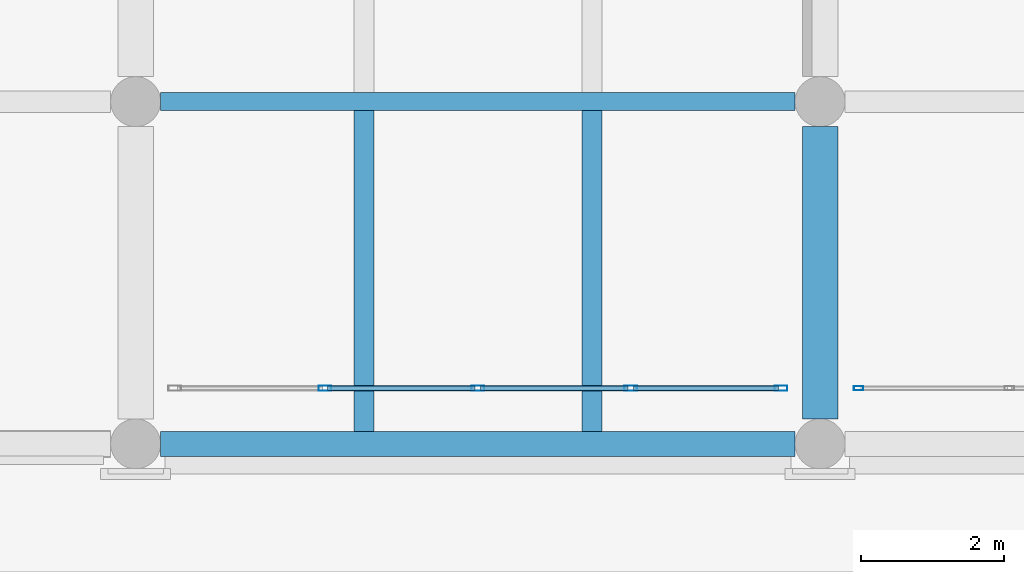
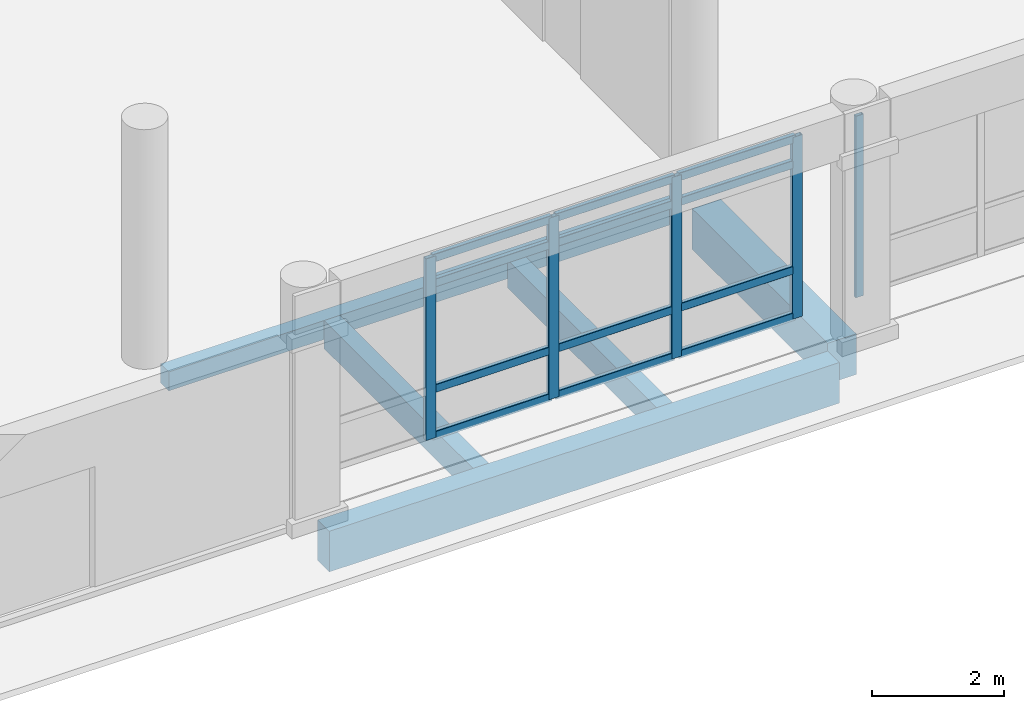
# One storey, part 33 of 196: 17 members, 5 beams, 2 elements without a shape of their own.
"""IFC4 building model written with IfcOpenShell, lengths in metres."""

from ifc_helpers import new_model, si_unit, direction, frame, origin, origin_2d, place, context, subcontext, project, spatial, rectangle, hollow_rectangle, extrude, material, layer, layer_set, material_profile, profile_set, type_object, element, aggregate, save


model = new_model("IFC4")

# Units and contexts
model_context = context("Model", 3, precision=1e-05, world=origin(), true_north=direction((0.0, 1.0)))
body_context = subcontext(model_context, "Body", "Model", "MODEL_VIEW")
ifc_project = project(units=[si_unit("LENGTHUNIT", "METRE"), si_unit("AREAUNIT", "SQUARE_METRE"), si_unit("VOLUMEUNIT", "CUBIC_METRE"), si_unit("PLANEANGLEUNIT", "RADIAN"), si_unit("MASSUNIT", "GRAM", prefix="KILO")], contexts=[model_context])

# Site, building, storey
site_placement = place(None, origin())
site = spatial("IfcSite", under=ifc_project, at=site_placement, CompositionType="ELEMENT")
building_placement = place(site_placement, origin())
building = spatial("IfcBuilding", under=site, at=building_placement, Name="Asteropetra Specialist Clinic", CompositionType="ELEMENT")
storey_placement = place(building_placement, origin())
storey = spatial("IfcBuildingStorey", under=building, at=storey_placement, Name="L00", CompositionType="ELEMENT", Elevation=0.0)

# Beam
ifc_material_1 = material(Name="Concrete C35/45", Category="concrete")
ifc_material_profile_1 = material_profile(ifc_material_1, rectangle(XDim=0.5, YDim=0.75, at=origin_2d()), Name="RCB 500x750")
ifc_profile_set_1 = profile_set([ifc_material_profile_1], Name="Concrete C35/45")
beam_type_1 = type_object("IfcBeamType", Name="BM-RC500x750", PredefinedType="BEAM", material=ifc_profile_set_1)
beam_1_placement = place(storey_placement, frame((38.39990234375, 0.35009765625, -0.715087890625), z_axis=(0.0, 1.0, 0.0), x_axis=(-1.0, 0.0, 0.0)))
element("IfcBeam", 1, at=beam_1_placement, inside=storey, type_object=beam_type_1, Name="Beam BBM04-0035", PredefinedType="BEAM", context=body_context, shape_type="SweptSolid", body=[
    extrude(rectangle(XDim=0.5, YDim=0.75, at=origin_2d()), origin(), (0.0, 0.0, 1.0), 4.099853515625),
])

# Curtain wall, member
ifc_material_2 = material(Name="Aluminium and low-E glass", Category="aluminium")
ifc_layer_1 = layer(ifc_material_2, 0.14990234375)
ifc_layer_set_1 = layer_set([ifc_layer_1], Name="Aluminium and low-E glass")
curtain_wall_type_1 = type_object("IfcCurtainWallType", Name="CW-SYS-11", PredefinedType="USERDEFINED", material=ifc_layer_set_1)
curtain_wall_1_placement = place(storey_placement, origin())
curtain_wall_1 = element("IfcCurtainWall", 2, at=curtain_wall_1_placement, inside=storey, type_object=curtain_wall_type_1, Name="Curtain Wall CW-125", ObjectType="STICK GLAZED COLONNADE", PredefinedType="USERDEFINED")
ifc_material_3 = material(Name="Aluminium 6063-T6", Category="aluminium")
ifc_material_profile_2 = material_profile(ifc_material_3, hollow_rectangle(XDim=0.06005859375, YDim=0.135009765625, WallThickness=0.00341796875, InnerFilletRadius=0.00341796875, OuterFilletRadius=0.007080078125, at=origin_2d()), Name="MUL 135x60x3.5")
ifc_profile_set_2 = profile_set([ifc_material_profile_2], Name="Aluminium 6063-T6")
member_type_1 = type_object("IfcMemberType", Name="CWM-135x60", PredefinedType="MULLION", material=ifc_profile_set_2)
member_1_placement = place(storey_placement, frame((38.93994140625, 0.780029296875, 0.0), z_axis=(0.0, 0.0, 1.0), x_axis=(0.0, 1.0, 0.0)))
member_1 = element("IfcMember", 3, at=member_1_placement, type_object=member_type_1, Name="CW-125 mullion 1", PredefinedType="MULLION", context=body_context, shape_type="SweptSolid", body=[
    extrude(hollow_rectangle(XDim=0.06005859375, YDim=0.135009765625, WallThickness=0.00341796875, InnerFilletRadius=0.00341796875, OuterFilletRadius=0.007080078125, at=origin_2d()), origin(), (0.0, 0.0, 1.0), 3.35009765625),
])
aggregate(curtain_wall_1, [member_1])

# Curtain wall, members
ifc_material_4 = material(Name="Aluminium and low-E glass", Category="aluminium")
ifc_layer_2 = layer(ifc_material_4, 0.135009765625)
ifc_layer_set_2 = layer_set([ifc_layer_2], Name="Aluminium and low-E glass")
curtain_wall_type_2 = type_object("IfcCurtainWallType", Name="CW-SYS-09", PredefinedType="USERDEFINED", material=ifc_layer_set_2)
curtain_wall_2_placement = place(storey_placement, origin())
curtain_wall_2 = element("IfcCurtainWall", 4, at=curtain_wall_2_placement, inside=storey, type_object=curtain_wall_type_2, Name="Curtain Wall CW-123", ObjectType="STICK GLAZED COLONNADE", PredefinedType="USERDEFINED")
ifc_material_5 = material(Name="Aluminium 6063-T6", Category="aluminium")
ifc_material_profile_3 = material_profile(ifc_material_5, hollow_rectangle(XDim=0.074951171875, YDim=0.179931640625, WallThickness=0.00390625, InnerFilletRadius=0.00390625, OuterFilletRadius=0.008056640625, at=origin_2d()), Name="MUL 180x75x4.0")
ifc_profile_set_3 = profile_set([ifc_material_profile_3], Name="Aluminium 6063-T6")
member_type_2 = type_object("IfcMemberType", Name="CWM-180x75", PredefinedType="MULLION", material=ifc_profile_set_3)
member_2_placement = place(storey_placement, frame((31.455078125, 0.780029296875, 0.0), z_axis=(0.0, 0.0, 1.0), x_axis=(0.0, 1.0, 0.0)))
member_2 = element("IfcMember", 5, at=member_2_placement, type_object=member_type_2, Name="CW-123 mullion 2", PredefinedType="MULLION", context=body_context, shape_type="SweptSolid", body=[
    extrude(hollow_rectangle(XDim=0.074951171875, YDim=0.179931640625, WallThickness=0.00390625, InnerFilletRadius=0.00390625, OuterFilletRadius=0.008056640625, at=origin_2d()), origin(), (0.0, 0.0, 1.0), 3.35009765625),
])
member_3_placement = place(storey_placement, frame((33.60009765625, 0.780029296875, 0.0), z_axis=(0.0, 0.0, 1.0), x_axis=(0.0, 1.0, 0.0)))
member_3 = element("IfcMember", 6, at=member_3_placement, type_object=member_type_2, Name="CW-123 mullion 3", PredefinedType="MULLION", context=body_context, shape_type="SweptSolid", body=[
    extrude(hollow_rectangle(XDim=0.074951171875, YDim=0.179931640625, WallThickness=0.00390625, InnerFilletRadius=0.00390625, OuterFilletRadius=0.008056640625, at=origin_2d()), origin(), (0.0, 0.0, 1.0), 3.35009765625),
])
member_4_placement = place(storey_placement, frame((35.7451171875, 0.780029296875, 0.0), z_axis=(0.0, 0.0, 1.0), x_axis=(0.0, 1.0, 0.0)))
member_4 = element("IfcMember", 7, at=member_4_placement, type_object=member_type_2, Name="CW-123 mullion 4", PredefinedType="MULLION", context=body_context, shape_type="SweptSolid", body=[
    extrude(hollow_rectangle(XDim=0.074951171875, YDim=0.179931640625, WallThickness=0.00390625, InnerFilletRadius=0.00390625, OuterFilletRadius=0.008056640625, at=origin_2d()), origin(), (0.0, 0.0, 1.0), 3.35009765625),
])
member_5_placement = place(storey_placement, frame((37.8525390625, 0.780029296875, 0.0), z_axis=(0.0, 0.0, 1.0), x_axis=(0.0, 1.0, 0.0)))
member_5 = element("IfcMember", 8, at=member_5_placement, type_object=member_type_2, Name="CW-123 mullion 5", PredefinedType="MULLION", context=body_context, shape_type="SweptSolid", body=[
    extrude(hollow_rectangle(XDim=0.074951171875, YDim=0.179931640625, WallThickness=0.00390625, InnerFilletRadius=0.00390625, OuterFilletRadius=0.008056640625, at=origin_2d()), origin(), (0.0, 0.0, 1.0), 3.35009765625),
])
ifc_material_6 = material(Name="Aluminium 6063-T6", Category="aluminium")
ifc_material_profile_4 = material_profile(ifc_material_6, hollow_rectangle(XDim=0.074951171875, YDim=0.14990234375, WallThickness=0.00390625, InnerFilletRadius=0.00390625, OuterFilletRadius=0.008056640625, at=origin_2d()), Name="TRN 150x75x4.0")
ifc_profile_set_4 = profile_set([ifc_material_profile_4], Name="Aluminium 6063-T6")
member_type_3 = type_object("IfcMemberType", Name="CWT-150x75", PredefinedType="USERDEFINED", material=ifc_profile_set_4)
member_6_placement = place(storey_placement, frame((31.492431640625, 0.780029296875, 0.03759765625), z_axis=(1.0, 0.0, 0.0), x_axis=(0.0, 1.0, 0.0)))
member_6 = element("IfcMember", 9, at=member_6_placement, type_object=member_type_3, Name="CW-123 transom 2.1", ObjectType="TRANSOM", PredefinedType="USERDEFINED", context=body_context, shape_type="SweptSolid", body=[
    extrude(hollow_rectangle(XDim=0.074951171875, YDim=0.14990234375, WallThickness=0.00390625, InnerFilletRadius=0.00390625, OuterFilletRadius=0.008056640625, at=origin_2d()), origin(), (0.0, 0.0, 1.0), 2.070068359375),
])
member_7_placement = place(storey_placement, frame((31.492431640625, 0.780029296875, 0.89990234375), z_axis=(1.0, 0.0, 0.0), x_axis=(0.0, 1.0, 0.0)))
member_7 = element("IfcMember", 10, at=member_7_placement, type_object=member_type_3, Name="CW-123 transom 2.2", ObjectType="TRANSOM", PredefinedType="USERDEFINED", context=body_context, shape_type="SweptSolid", body=[
    extrude(hollow_rectangle(XDim=0.074951171875, YDim=0.14990234375, WallThickness=0.00390625, InnerFilletRadius=0.00390625, OuterFilletRadius=0.008056640625, at=origin_2d()), origin(), (0.0, 0.0, 1.0), 2.070068359375),
])
member_8_placement = place(storey_placement, frame((31.492431640625, 0.780029296875, 2.85009765625), z_axis=(1.0, 0.0, 0.0), x_axis=(0.0, 1.0, 0.0)))
member_8 = element("IfcMember", 11, at=member_8_placement, type_object=member_type_3, Name="CW-123 transom 2.3", ObjectType="TRANSOM", PredefinedType="USERDEFINED", context=body_context, shape_type="SweptSolid", body=[
    extrude(hollow_rectangle(XDim=0.074951171875, YDim=0.14990234375, WallThickness=0.00390625, InnerFilletRadius=0.00390625, OuterFilletRadius=0.008056640625, at=origin_2d()), origin(), (0.0, 0.0, 1.0), 2.070068359375),
])
member_9_placement = place(storey_placement, frame((31.492431640625, 0.780029296875, 3.3125), z_axis=(1.0, 0.0, 0.0), x_axis=(0.0, 1.0, 0.0)))
member_9 = element("IfcMember", 12, at=member_9_placement, type_object=member_type_3, Name="CW-123 transom 2.4", ObjectType="TRANSOM", PredefinedType="USERDEFINED", context=body_context, shape_type="SweptSolid", body=[
    extrude(hollow_rectangle(XDim=0.074951171875, YDim=0.14990234375, WallThickness=0.00390625, InnerFilletRadius=0.00390625, OuterFilletRadius=0.008056640625, at=origin_2d()), origin(), (0.0, 0.0, 1.0), 2.070068359375),
])
member_10_placement = place(storey_placement, frame((33.637451171875, 0.780029296875, 0.03759765625), z_axis=(1.0, 0.0, 0.0), x_axis=(0.0, 1.0, 0.0)))
member_10 = element("IfcMember", 13, at=member_10_placement, type_object=member_type_3, Name="CW-123 transom 3.1", ObjectType="TRANSOM", PredefinedType="USERDEFINED", context=body_context, shape_type="SweptSolid", body=[
    extrude(hollow_rectangle(XDim=0.074951171875, YDim=0.14990234375, WallThickness=0.00390625, InnerFilletRadius=0.00390625, OuterFilletRadius=0.008056640625, at=origin_2d()), origin(), (0.0, 0.0, 1.0), 2.070068359375),
])
member_11_placement = place(storey_placement, frame((33.637451171875, 0.780029296875, 0.89990234375), z_axis=(1.0, 0.0, 0.0), x_axis=(0.0, 1.0, 0.0)))
member_11 = element("IfcMember", 14, at=member_11_placement, type_object=member_type_3, Name="CW-123 transom 3.2", ObjectType="TRANSOM", PredefinedType="USERDEFINED", context=body_context, shape_type="SweptSolid", body=[
    extrude(hollow_rectangle(XDim=0.074951171875, YDim=0.14990234375, WallThickness=0.00390625, InnerFilletRadius=0.00390625, OuterFilletRadius=0.008056640625, at=origin_2d()), origin(), (0.0, 0.0, 1.0), 2.070068359375),
])
member_12_placement = place(storey_placement, frame((33.637451171875, 0.780029296875, 2.85009765625), z_axis=(1.0, 0.0, 0.0), x_axis=(0.0, 1.0, 0.0)))
member_12 = element("IfcMember", 15, at=member_12_placement, type_object=member_type_3, Name="CW-123 transom 3.3", ObjectType="TRANSOM", PredefinedType="USERDEFINED", context=body_context, shape_type="SweptSolid", body=[
    extrude(hollow_rectangle(XDim=0.074951171875, YDim=0.14990234375, WallThickness=0.00390625, InnerFilletRadius=0.00390625, OuterFilletRadius=0.008056640625, at=origin_2d()), origin(), (0.0, 0.0, 1.0), 2.070068359375),
])
member_13_placement = place(storey_placement, frame((33.637451171875, 0.780029296875, 3.3125), z_axis=(1.0, 0.0, 0.0), x_axis=(0.0, 1.0, 0.0)))
member_13 = element("IfcMember", 16, at=member_13_placement, type_object=member_type_3, Name="CW-123 transom 3.4", ObjectType="TRANSOM", PredefinedType="USERDEFINED", context=body_context, shape_type="SweptSolid", body=[
    extrude(hollow_rectangle(XDim=0.074951171875, YDim=0.14990234375, WallThickness=0.00390625, InnerFilletRadius=0.00390625, OuterFilletRadius=0.008056640625, at=origin_2d()), origin(), (0.0, 0.0, 1.0), 2.070068359375),
])
member_14_placement = place(storey_placement, frame((35.782470703125, 0.780029296875, 0.03759765625), z_axis=(1.0, 0.0, 0.0), x_axis=(0.0, 1.0, 0.0)))
member_14 = element("IfcMember", 17, at=member_14_placement, type_object=member_type_3, Name="CW-123 transom 4.1", ObjectType="TRANSOM", PredefinedType="USERDEFINED", context=body_context, shape_type="SweptSolid", body=[
    extrude(hollow_rectangle(XDim=0.074951171875, YDim=0.14990234375, WallThickness=0.00390625, InnerFilletRadius=0.00390625, OuterFilletRadius=0.008056640625, at=origin_2d()), origin(), (0.0, 0.0, 1.0), 2.032470703125),
])
member_15_placement = place(storey_placement, frame((35.782470703125, 0.780029296875, 0.89990234375), z_axis=(1.0, 0.0, 0.0), x_axis=(0.0, 1.0, 0.0)))
member_15 = element("IfcMember", 18, at=member_15_placement, type_object=member_type_3, Name="CW-123 transom 4.2", ObjectType="TRANSOM", PredefinedType="USERDEFINED", context=body_context, shape_type="SweptSolid", body=[
    extrude(hollow_rectangle(XDim=0.074951171875, YDim=0.14990234375, WallThickness=0.00390625, InnerFilletRadius=0.00390625, OuterFilletRadius=0.008056640625, at=origin_2d()), origin(), (0.0, 0.0, 1.0), 2.032470703125),
])
member_16_placement = place(storey_placement, frame((35.782470703125, 0.780029296875, 2.85009765625), z_axis=(1.0, 0.0, 0.0), x_axis=(0.0, 1.0, 0.0)))
member_16 = element("IfcMember", 19, at=member_16_placement, type_object=member_type_3, Name="CW-123 transom 4.3", ObjectType="TRANSOM", PredefinedType="USERDEFINED", context=body_context, shape_type="SweptSolid", body=[
    extrude(hollow_rectangle(XDim=0.074951171875, YDim=0.14990234375, WallThickness=0.00390625, InnerFilletRadius=0.00390625, OuterFilletRadius=0.008056640625, at=origin_2d()), origin(), (0.0, 0.0, 1.0), 2.032470703125),
])
member_17_placement = place(storey_placement, frame((35.782470703125, 0.780029296875, 3.3125), z_axis=(1.0, 0.0, 0.0), x_axis=(0.0, 1.0, 0.0)))
member_17 = element("IfcMember", 20, at=member_17_placement, type_object=member_type_3, Name="CW-123 transom 4.4", ObjectType="TRANSOM", PredefinedType="USERDEFINED", context=body_context, shape_type="SweptSolid", body=[
    extrude(hollow_rectangle(XDim=0.074951171875, YDim=0.14990234375, WallThickness=0.00390625, InnerFilletRadius=0.00390625, OuterFilletRadius=0.008056640625, at=origin_2d()), origin(), (0.0, 0.0, 1.0), 2.032470703125),
])
aggregate(curtain_wall_2, [member_2, member_3, member_4, member_5, member_6, member_7, member_8, member_9, member_10, member_11, member_12, member_13, member_14, member_15, member_16, member_17])

# Beams
ifc_material_7 = material(Name="Concrete C35/45", Category="concrete")
ifc_material_profile_5 = material_profile(ifc_material_7, rectangle(XDim=0.280029296875, YDim=0.52001953125, at=origin_2d()), Name="RCJ 280x520")
ifc_profile_set_5 = profile_set([ifc_material_profile_5], Name="Concrete C35/45")
beam_type_2 = type_object("IfcBeamType", Name="JST-RC280x520", PredefinedType="JOIST", material=ifc_profile_set_5)
for number, where, z_axis, x_axis, name in (
    (21, (32.0, 0.175048828125, -0.60009765625), (0.0, 1.0, 0.0), (-1.0, 0.0, 0.0), "Joist JJST01-0044"),
    (22, (35.199951171875, 0.175048828125, -0.60009765625), (0.0, 1.0, 0.0), (-1.0, 0.0, 0.0), "Joist JJST01-0045"),
):
    element("IfcBeam", number, at=place(storey_placement, frame(where, z_axis=z_axis, x_axis=x_axis)), inside=storey, type_object=beam_type_2, Name=name, PredefinedType="JOIST", context=body_context, shape_type="SweptSolid", body=[
        extrude(rectangle(XDim=0.280029296875, YDim=0.52001953125, at=origin_2d()), origin(), (0.0, 0.0, 1.0), 4.5),
    ])
ifc_material_8 = material(Name="Concrete C35/45", Category="concrete")
ifc_material_profile_6 = material_profile(ifc_material_8, rectangle(XDim=0.25, YDim=0.35009765625, at=origin_2d()), Name="RCL 250x350")
ifc_profile_set_6 = profile_set([ifc_material_profile_6], Name="Concrete C35/45")
beam_type_3 = type_object("IfcBeamType", Name="LNT-RC250x350", PredefinedType="LINTEL", material=ifc_profile_set_6)
beam_2_placement = place(storey_placement, frame((29.14990234375, 4.800048828125, -0.514892578125), z_axis=(1.0, 0.0, 0.0), x_axis=(0.0, 1.0, 0.0)))
element("IfcBeam", 23, at=beam_2_placement, inside=storey, type_object=beam_type_3, Name="Beam BLNT02-0010", PredefinedType="LINTEL", context=body_context, shape_type="SweptSolid", body=[
    extrude(rectangle(XDim=0.25, YDim=0.35009765625, at=origin_2d()), origin(), (0.0, 0.0, 1.0), 8.900146484375),
])
ifc_material_9 = material(Name="Concrete C35/45", Category="concrete")
ifc_material_profile_7 = material_profile(ifc_material_9, rectangle(XDim=0.35009765625, YDim=0.75, at=origin_2d()), Name="RCS 350x750")
ifc_profile_set_7 = profile_set([ifc_material_profile_7], Name="Concrete C35/45")
beam_type_4 = type_object("IfcBeamType", Name="SPN-RC350x750", PredefinedType="SPANDREL", material=ifc_profile_set_7)
beam_3_placement = place(storey_placement, frame((29.14990234375, 0.0, -0.715087890625), z_axis=(1.0, 0.0, 0.0), x_axis=(0.0, 1.0, 0.0)))
element("IfcBeam", 24, at=beam_3_placement, inside=storey, type_object=beam_type_4, Name="Beam BSPN01-0004", PredefinedType="SPANDREL", context=body_context, shape_type="SweptSolid", body=[
    extrude(rectangle(XDim=0.35009765625, YDim=0.75, at=origin_2d()), origin(), (0.0, 0.0, 1.0), 8.900146484375),
])

save(model, "model.ifc")
